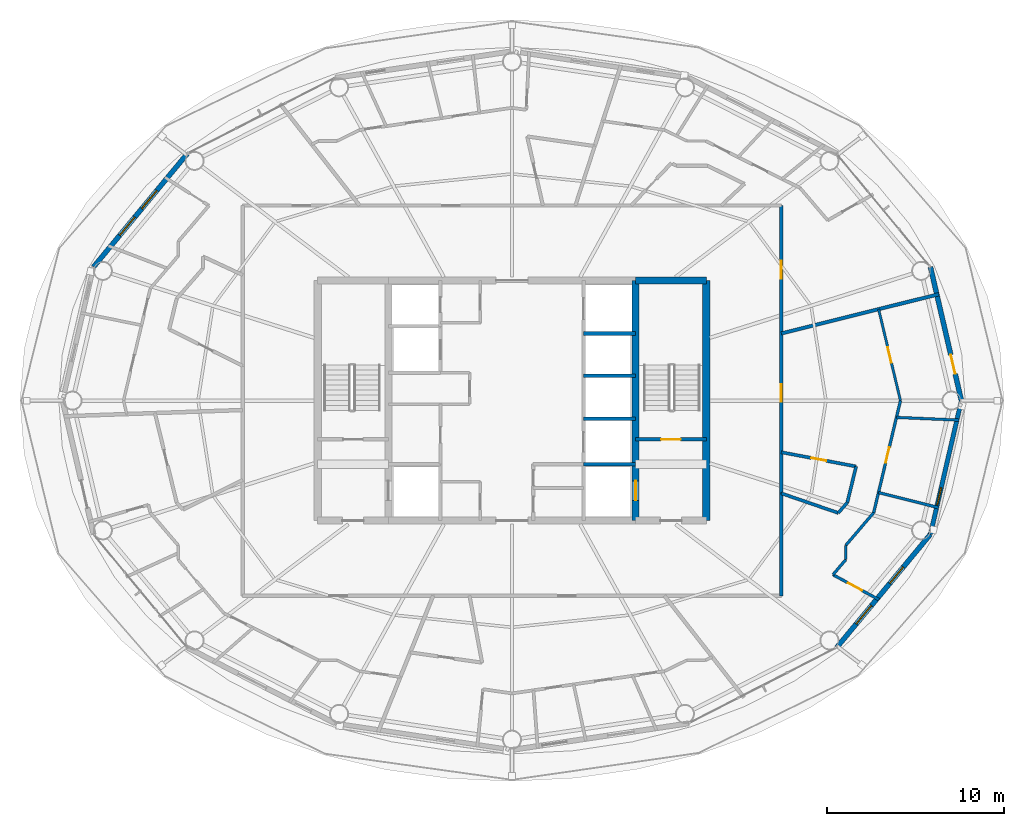
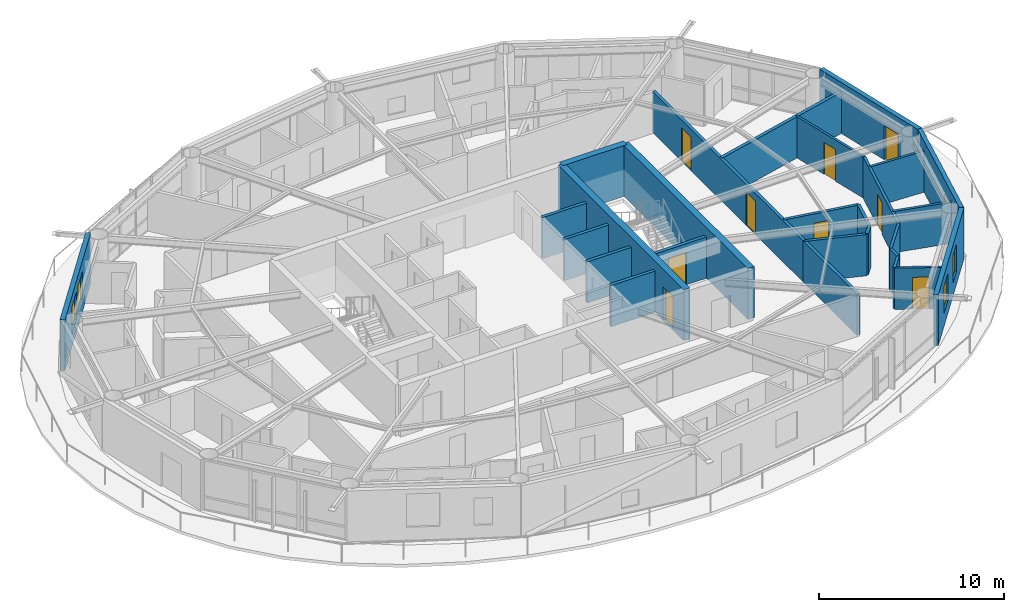
# One storey, part 18 of 23: 27 walls, 9 doors, 5 windows, 14 openings.
"""IFC4 building model written with IfcOpenShell, lengths in metres."""

from ifc_helpers import new_model, si_unit, direction, frame, frame_2d, origin, place, context, subcontext, project, spatial, rectangle, extrude, material, layer, layer_set, type_object, element, fill, save


model = new_model("IFC4")

# Units and contexts
model_context = context("Model", 3, precision=1e-05, world=origin(), true_north=direction((0.0, 1.0)))
body_context = subcontext(model_context, "Body", "Model", "MODEL_VIEW")
ifc_project = project(units=[si_unit("LENGTHUNIT", "METRE"), si_unit("AREAUNIT", "SQUARE_METRE"), si_unit("VOLUMEUNIT", "CUBIC_METRE"), si_unit("PLANEANGLEUNIT", "RADIAN"), si_unit("MASSUNIT", "GRAM", prefix="KILO")], contexts=[model_context])

# Site, building, storey
site_placement = place(None, origin())
site = spatial("IfcSite", under=ifc_project, at=site_placement, CompositionType="ELEMENT")
building_placement = place(site_placement, origin())
building = spatial("IfcBuilding", under=site, at=building_placement, Name="Sarneth Arch Tower", CompositionType="ELEMENT")
storey_placement = place(building_placement, frame((0.0, 0.0, 242.39990234375)))
storey = spatial("IfcBuildingStorey", under=building, at=storey_placement, Name="L62", CompositionType="ELEMENT", Elevation=242.39990234375)

# Walls
ifc_material_1 = material(Name="Concrete C50/60", Category="concrete")
ifc_layer_1 = layer(ifc_material_1, 0.39990234375)
ifc_layer_set_1 = layer_set([ifc_layer_1], Name="Concrete C50/60")
wall_type_1 = type_object("IfcWallType", Name="WALL-CORE-400", PredefinedType="SHEAR", material=ifc_layer_set_1)
wall_1_placement = place(storey_placement, frame((55.0, 48.800048828125, 0.0), z_axis=(0.0, 0.0, 1.0), x_axis=(1.0, 0.0, 0.0)))
element("IfcWall", 1, at=wall_1_placement, inside=storey, type_object=wall_type_1, Name="L62 Core shear wall N-E", PredefinedType="SHEAR", context=body_context, shape_type="SweptSolid", body=[
    extrude(rectangle(XDim=4.0, YDim=0.39990234375, at=frame_2d((2.0, 0.0))), origin(), (0.0, 0.0, 1.0), 3.360107421875),
])
wall_2_placement = place(storey_placement, frame((59.0, 35.199951171875, 0.0), z_axis=(0.0, 0.0, 1.0), x_axis=(0.0, 1.0, 0.0)))
element("IfcWall", 2, at=wall_2_placement, inside=storey, type_object=wall_type_1, Name="L62 Core shear wall E", PredefinedType="SHEAR", context=body_context, shape_type="SweptSolid", body=[
    extrude(rectangle(XDim=13.60009765625, YDim=0.39990234375, at=frame_2d((6.800048828125, 0.0))), origin(), (0.0, 0.0, 1.0), 3.360107421875),
])

# Wall, opening, door
wall_3_placement = place(storey_placement, frame((55.0, 35.199951171875, 0.0), z_axis=(0.0, 0.0, 1.0), x_axis=(0.0, 1.0, 0.0)))
wall_3 = element("IfcWall", 3, at=wall_3_placement, inside=storey, type_object=wall_type_1, Name="L62 Core shear wall WEB-E", PredefinedType="SHEAR", context=body_context, shape_type="SweptSolid", body=[
    extrude(rectangle(XDim=13.60009765625, YDim=0.39990234375, at=frame_2d((6.800048828125, 0.0))), origin(), (0.0, 0.0, 1.0), 3.360107421875),
])
opening_1_placement = place(wall_3_placement, frame((1.14990234375, 0.0, 0.0)))
opening_1 = element("IfcOpeningElement", 4, at=opening_1_placement, cuts=wall_3, Name="Opening LD-1", PredefinedType="OPENING", context=body_context, shape_type="SweptSolid", body=[
    extrude(rectangle(XDim=1.10009765625, YDim=2.199951171875, at=frame_2d((0.550048828125, 1.10009765625))), frame((0.0, 0.2099609375, 0.0), z_axis=(0.0, -1.0, 0.0), x_axis=(1.0, 0.0, 0.0)), (0.0, 0.0, 1.0), 0.419921875),
])
ifc_material_2 = material(Name="Brushed Stainless Steel 304 lift landing door", Category="steel")
door_type_1 = type_object("IfcDoorType", Name="DR-LIFT-SLIDE-1100", OperationType="SLIDING_TO_LEFT", PredefinedType="DOOR", material=ifc_material_2)
door_1_placement = place(opening_1_placement, origin())
door_1 = element("IfcDoor", 5, at=door_1_placement, inside=storey, type_object=door_type_1, Name="L62 Firefighting lift landing door FL-2", OperationType="SLIDING_TO_RIGHT", OverallHeight=2.199951171875, OverallWidth=1.10009765625, PredefinedType="DOOR", context=body_context, shape_type="SweptSolid", body=[
    extrude(rectangle(XDim=1.10009765625, YDim=2.199951171875, at=frame_2d((0.550048828125, 1.10009765625))), frame((0.0, 0.02490234375, 0.0), z_axis=(0.0, -1.0, 0.0), x_axis=(1.0, 0.0, 0.0)), (0.0, 0.0, 1.0), 0.050048828125),
])
fill(opening_1, door_1)

# Wall, openings, doors
ifc_material_3 = material(Name="Double steel-stud corridor fire wall", Category="steel")
ifc_layer_2 = layer(ifc_material_3, 0.18994140625)
ifc_layer_set_2 = layer_set([ifc_layer_2], Name="Double steel-stud corridor fire wall")
wall_type_2 = type_object("IfcWallType", Name="WALL-CORR-190", PredefinedType="PARTITIONING", material=ifc_layer_set_2)
wall_4_placement = place(storey_placement, frame((63.25, 53.050048828125, 0.0), z_axis=(0.0, 0.0, 1.0), x_axis=(0.0, -1.0, 0.0)))
wall_4 = element("IfcWall", 6, at=wall_4_placement, inside=storey, type_object=wall_type_2, Name="L62 Interior partition W-L62-TP-003", PredefinedType="PARTITIONING", context=body_context, shape_type="SweptSolid", body=[
    extrude(rectangle(XDim=16.3349609375, YDim=0.18994140625, at=frame_2d((8.16748046875, 0.0))), origin(), (0.0, 0.0, 1.0), 2.72021484375),
])
opening_2_placement = place(wall_4_placement, frame((3.140380859375, 0.0, 0.0)))
opening_2 = element("IfcOpeningElement", 7, at=opening_2_placement, cuts=wall_4, Name="Opening FD-08", PredefinedType="OPENING", context=body_context, shape_type="SweptSolid", body=[
    extrude(rectangle(XDim=1.0, YDim=2.199951171875, at=frame_2d((0.5, 1.10009765625))), frame((0.0, 0.10498046875, 0.0), z_axis=(0.0, -1.0, 0.0), x_axis=(1.0, 0.0, 0.0)), (0.0, 0.0, 1.0), 0.2099609375),
])
opening_3_placement = place(wall_4_placement, frame((10.110595703125, 0.0, 0.0)))
opening_3 = element("IfcOpeningElement", 8, at=opening_3_placement, cuts=wall_4, Name="Opening FD-08", PredefinedType="OPENING", context=body_context, shape_type="SweptSolid", body=[
    extrude(rectangle(XDim=1.0, YDim=2.199951171875, at=frame_2d((0.5, 1.10009765625))), frame((0.0, 0.10498046875, 0.0), z_axis=(0.0, -1.0, 0.0), x_axis=(1.0, 0.0, 0.0)), (0.0, 0.0, 1.0), 0.2099609375),
])
ifc_material_4 = material(Name="Hardwood timber acoustic fire door", Category="wood")
door_type_2 = type_object("IfcDoorType", Name="DR-FD60-1000", OperationType="SINGLE_SWING_LEFT", PredefinedType="DOOR", material=ifc_material_4)
door_2_placement = place(opening_2_placement, origin())
door_2 = element("IfcDoor", 9, at=door_2_placement, inside=storey, type_object=door_type_2, Name="L62 Interior door DR-L62-U1-ENT", OperationType="SINGLE_SWING_LEFT", OverallHeight=2.199951171875, OverallWidth=1.0, PredefinedType="DOOR", context=body_context, shape_type="SweptSolid", body=[
    extrude(rectangle(XDim=1.0, YDim=2.199951171875, at=frame_2d((0.5, 1.10009765625))), frame((0.0, 0.02490234375, 0.0), z_axis=(0.0, -1.0, 0.0), x_axis=(1.0, 0.0, 0.0)), (0.0, 0.0, 1.0), 0.050048828125),
])
fill(opening_2, door_2)
door_3_placement = place(opening_3_placement, origin())
door_3 = element("IfcDoor", 10, at=door_3_placement, inside=storey, type_object=door_type_2, Name="L62 Interior door DR-L62-U6-ENT", OperationType="SINGLE_SWING_RIGHT", OverallHeight=2.199951171875, OverallWidth=1.0, PredefinedType="DOOR", context=body_context, shape_type="SweptSolid", body=[
    extrude(rectangle(XDim=1.0, YDim=2.199951171875, at=frame_2d((0.5, 1.10009765625))), frame((0.0, 0.02490234375, 0.0), z_axis=(0.0, -1.0, 0.0), x_axis=(1.0, 0.0, 0.0)), (0.0, 0.0, 1.0), 0.050048828125),
])
fill(opening_3, door_3)

# Wall
wall_5_placement = place(storey_placement, frame((63.25, 36.78271484375, 0.0), z_axis=(0.0, 0.0, 1.0), x_axis=(0.0, -1.0, 0.0)))
element("IfcWall", 11, at=wall_5_placement, inside=storey, type_object=wall_type_2, Name="L62 Interior partition W-L62-TP-016", PredefinedType="PARTITIONING", context=body_context, shape_type="SweptSolid", body=[
    extrude(rectangle(XDim=5.832763671875, YDim=0.18994140625, at=frame_2d((2.91650390625, 0.0))), origin(), (0.0, 0.0, 1.0), 2.72021484375),
])

# Wall, opening, window
ifc_material_5 = material(Name="Extruded terracotta rainscreen on Concrete C40/50 backing", Category="masonry")
ifc_layer_3 = layer(ifc_material_5, 0.25)
ifc_layer_set_3 = layer_set([ifc_layer_3], Name="Extruded terracotta rainscreen on Concrete C40/50 backing")
wall_type_3 = type_object("IfcWallType", Name="WALL-EXT-SPAND-250", PredefinedType="SOLIDWALL", material=ifc_layer_set_3)
wall_6_placement = place(storey_placement, frame((71.69384765625, 34.430419921875, 0.0), z_axis=(0.0, 0.0, 1.0), x_axis=(0.225635078214, 0.974211892495, 0.0)))
wall_6 = element("IfcWall", 12, at=wall_6_placement, inside=storey, type_object=wall_type_3, Name="L62 Terracotta perimeter wall 16", PredefinedType="SOLIDWALL", context=body_context, shape_type="SweptSolid", body=[
    extrude(rectangle(XDim=7.77001953125, YDim=0.25, at=frame_2d((3.885009765625, 0.0))), origin(), (0.0, 0.0, 1.0), 3.360107421875),
])
opening_4_placement = place(wall_6_placement, frame((1.7138671875, 0.0, 1.419921875)))
opening_4 = element("IfcOpeningElement", 13, at=opening_4_placement, cuts=wall_6, Name="Opening W-14", PredefinedType="OPENING", context=body_context, shape_type="SweptSolid", body=[
    extrude(rectangle(XDim=1.0, YDim=1.050048828125, at=frame_2d((0.5, 0.52490234375))), frame((0.0, 0.135009765625, 0.0), z_axis=(0.0, -1.0, 0.0), x_axis=(1.0, 0.0, 0.0)), (0.0, 0.0, 1.0), 0.27001953125),
])
ifc_material_6 = material(Name="Thermally broken Aluminium 6063-T6 and low-e laminated IGU", Category="aluminium")
window_type_1 = type_object("IfcWindowType", Name="WIN-TWR-1000x1050", PartitioningType="SINGLE_PANEL", PredefinedType="WINDOW", material=ifc_material_6)
window_1_placement = place(opening_4_placement, origin())
window_1 = element("IfcWindow", 14, at=window_1_placement, inside=storey, type_object=window_type_1, Name="L62 Dwelling bedroom window 06", OverallHeight=1.050048828125, OverallWidth=1.0, PartitioningType="SINGLE_PANEL", PredefinedType="WINDOW", context=body_context, shape_type="SweptSolid", body=[
    extrude(rectangle(XDim=1.0, YDim=1.050048828125, at=frame_2d((0.5, 0.52490234375))), frame((0.0, 0.030029296875, 0.0), z_axis=(0.0, -1.0, 0.0), x_axis=(1.0, 0.0, 0.0)), (0.0, 0.0, 1.0), 0.06005859375),
])
fill(opening_4, window_1)

# Wall, opening, door
ifc_material_7 = material(Name="Extruded terracotta rainscreen on Concrete C40/50 backing", Category="masonry")
ifc_layer_4 = layer(ifc_material_7, 0.280029296875)
ifc_layer_set_4 = layer_set([ifc_layer_4], Name="Extruded terracotta rainscreen on Concrete C40/50 backing")
wall_type_4 = type_object("IfcWallType", Name="WALL-EXT-TERRA-280", PredefinedType="SOLIDWALL", material=ifc_layer_set_4)
wall_7_placement = place(storey_placement, frame((73.447021484375, 42.0, 0.0), z_axis=(0.0, 0.0, 1.0), x_axis=(-0.225635078214, 0.974211892495, 0.0)))
wall_7 = element("IfcWall", 15, at=wall_7_placement, inside=storey, type_object=wall_type_4, Name="L62 Terracotta perimeter wall 01", PredefinedType="SOLIDWALL", context=body_context, shape_type="SweptSolid", body=[
    extrude(rectangle(XDim=7.77001953125, YDim=0.280029296875, at=frame_2d((3.885009765625, 0.0))), origin(), (0.0, 0.0, 1.0), 3.360107421875),
])
opening_5_placement = place(wall_7_placement, frame((1.55712890625, 0.0, 0.0)))
opening_5 = element("IfcOpeningElement", 16, at=opening_5_placement, cuts=wall_7, Name="Opening BD-3", PredefinedType="OPENING", context=body_context, shape_type="SweptSolid", body=[
    extrude(rectangle(XDim=1.10009765625, YDim=2.25, at=frame_2d((0.550048828125, 1.125))), frame((0.0, 0.14990234375, 0.0), z_axis=(0.0, -1.0, 0.0), x_axis=(1.0, 0.0, 0.0)), (0.0, 0.0, 1.0), 0.300048828125),
])
ifc_material_8 = material(Name="Thermally broken Aluminium 6063-T6 and laminated safety glass", Category="aluminium")
door_type_3 = type_object("IfcDoorType", Name="DR-BALC-GLZ-1100", OperationType="SINGLE_SWING_LEFT", PredefinedType="DOOR", material=ifc_material_8)
door_4_placement = place(opening_5_placement, origin())
door_4 = element("IfcDoor", 17, at=door_4_placement, inside=storey, type_object=door_type_3, Name="L62 Balcony glazed door 01", OperationType="SINGLE_SWING_LEFT", OverallHeight=2.25, OverallWidth=1.10009765625, PredefinedType="DOOR", context=body_context, shape_type="SweptSolid", body=[
    extrude(rectangle(XDim=1.10009765625, YDim=2.25, at=frame_2d((0.550048828125, 1.125))), frame((0.0, 0.02490234375, 0.0), z_axis=(0.0, -1.0, 0.0), x_axis=(1.0, 0.0, 0.0)), (0.0, 0.0, 1.0), 0.050048828125),
])
fill(opening_5, door_4)

# Wall, openings, windows
wall_8_placement = place(storey_placement, frame((29.617431640625, 55.986572265625, 0.0), z_axis=(0.0, 0.0, 1.0), x_axis=(-0.63761509934, -0.770355103243, 0.0)))
wall_8 = element("IfcWall", 18, at=wall_8_placement, inside=storey, type_object=wall_type_4, Name="L62 Terracotta perimeter wall 07", PredefinedType="SOLIDWALL", context=body_context, shape_type="SweptSolid", body=[
    extrude(rectangle(XDim=8.329833984375, YDim=0.280029296875, at=frame_2d((4.1650390625, 0.0))), origin(), (0.0, 0.0, 1.0), 3.360107421875),
])
opening_6_placement = place(wall_8_placement, frame((2.704345703125, 0.0, 0.85009765625)))
opening_6 = element("IfcOpeningElement", 19, at=opening_6_placement, cuts=wall_8, Name="Opening W-08", PredefinedType="OPENING", context=body_context, shape_type="SweptSolid", body=[
    extrude(rectangle(XDim=1.35009765625, YDim=1.800048828125, at=frame_2d((0.675048828125, 0.89990234375))), frame((0.0, 0.14990234375, 0.0), z_axis=(0.0, -1.0, 0.0), x_axis=(1.0, 0.0, 0.0)), (0.0, 0.0, 1.0), 0.300048828125),
])
opening_7_placement = place(wall_8_placement, frame((4.66455078125, 0.0, 0.85009765625)))
opening_7 = element("IfcOpeningElement", 20, at=opening_7_placement, cuts=wall_8, Name="Opening W-08", PredefinedType="OPENING", context=body_context, shape_type="SweptSolid", body=[
    extrude(rectangle(XDim=1.35009765625, YDim=1.800048828125, at=frame_2d((0.675048828125, 0.89990234375))), frame((0.0, 0.14990234375, 0.0), z_axis=(0.0, -1.0, 0.0), x_axis=(1.0, 0.0, 0.0)), (0.0, 0.0, 1.0), 0.300048828125),
])
ifc_material_9 = material(Name="Thermally broken Aluminium 6063-T6 and low-e laminated IGU", Category="aluminium")
window_type_2 = type_object("IfcWindowType", Name="WIN-TWR-1350x1800", PartitioningType="SINGLE_PANEL", PredefinedType="WINDOW", material=ifc_material_9)
window_2_placement = place(opening_6_placement, origin())
window_2 = element("IfcWindow", 21, at=window_2_placement, inside=storey, type_object=window_type_2, Name="L62 Exterior window 07A", OverallHeight=1.800048828125, OverallWidth=1.35009765625, PartitioningType="SINGLE_PANEL", PredefinedType="WINDOW", context=body_context, shape_type="SweptSolid", body=[
    extrude(rectangle(XDim=1.35009765625, YDim=1.800048828125, at=frame_2d((0.675048828125, 0.89990234375))), frame((0.0, 0.030029296875, 0.0), z_axis=(0.0, -1.0, 0.0), x_axis=(1.0, 0.0, 0.0)), (0.0, 0.0, 1.0), 0.06005859375),
])
fill(opening_6, window_2)
window_3_placement = place(opening_7_placement, origin())
window_3 = element("IfcWindow", 22, at=window_3_placement, inside=storey, type_object=window_type_2, Name="L62 Exterior window 07B", OverallHeight=1.800048828125, OverallWidth=1.35009765625, PartitioningType="SINGLE_PANEL", PredefinedType="WINDOW", context=body_context, shape_type="SweptSolid", body=[
    extrude(rectangle(XDim=1.35009765625, YDim=1.800048828125, at=frame_2d((0.675048828125, 0.89990234375))), frame((0.0, 0.030029296875, 0.0), z_axis=(0.0, -1.0, 0.0), x_axis=(1.0, 0.0, 0.0)), (0.0, 0.0, 1.0), 0.06005859375),
])
fill(opening_7, window_3)

wall_9_placement = place(storey_placement, frame((66.382568359375, 28.013427734375, 0.0), z_axis=(0.0, 0.0, 1.0), x_axis=(0.63761509934, 0.770355103243, 0.0)))
wall_9 = element("IfcWall", 23, at=wall_9_placement, inside=storey, type_object=wall_type_4, Name="L62 Terracotta perimeter wall 15", PredefinedType="SOLIDWALL", context=body_context, shape_type="SweptSolid", body=[
    extrude(rectangle(XDim=8.329833984375, YDim=0.280029296875, at=frame_2d((4.1650390625, 0.0))), origin(), (0.0, 0.0, 1.0), 3.360107421875),
])
opening_8_placement = place(wall_9_placement, frame((1.738037109375, 0.0, 0.85009765625)))
opening_8 = element("IfcOpeningElement", 24, at=opening_8_placement, cuts=wall_9, Name="Opening W-08", PredefinedType="OPENING", context=body_context, shape_type="SweptSolid", body=[
    extrude(rectangle(XDim=1.35009765625, YDim=1.800048828125, at=frame_2d((0.675048828125, 0.89990234375))), frame((0.0, 0.14990234375, 0.0), z_axis=(0.0, -1.0, 0.0), x_axis=(1.0, 0.0, 0.0)), (0.0, 0.0, 1.0), 0.300048828125),
])
opening_9_placement = place(wall_9_placement, frame((4.718017578125, 0.0, 0.85009765625)))
opening_9 = element("IfcOpeningElement", 25, at=opening_9_placement, cuts=wall_9, Name="Opening W-09", PredefinedType="OPENING", context=body_context, shape_type="SweptSolid", body=[
    extrude(rectangle(XDim=1.199951171875, YDim=1.800048828125, at=frame_2d((0.60009765625, 0.89990234375))), frame((0.0, 0.14990234375, 0.0), z_axis=(0.0, -1.0, 0.0), x_axis=(1.0, 0.0, 0.0)), (0.0, 0.0, 1.0), 0.300048828125),
])
ifc_material_10 = material(Name="Thermally broken Aluminium 6063-T6 and low-e laminated IGU", Category="aluminium")
window_type_3 = type_object("IfcWindowType", Name="WIN-TWR-1200x1800", PartitioningType="SINGLE_PANEL", PredefinedType="WINDOW", material=ifc_material_10)
window_4_placement = place(opening_9_placement, origin())
window_4 = element("IfcWindow", 26, at=window_4_placement, inside=storey, type_object=window_type_3, Name="L62 Exterior window 15B", OverallHeight=1.800048828125, OverallWidth=1.199951171875, PartitioningType="SINGLE_PANEL", PredefinedType="WINDOW", context=body_context, shape_type="SweptSolid", body=[
    extrude(rectangle(XDim=1.199951171875, YDim=1.800048828125, at=frame_2d((0.60009765625, 0.89990234375))), frame((0.0, 0.030029296875, 0.0), z_axis=(0.0, -1.0, 0.0), x_axis=(1.0, 0.0, 0.0)), (0.0, 0.0, 1.0), 0.06005859375),
])
fill(opening_9, window_4)
window_5_placement = place(opening_8_placement, origin())
window_5 = element("IfcWindow", 27, at=window_5_placement, inside=storey, type_object=window_type_2, Name="L62 Exterior window 15A", OverallHeight=1.800048828125, OverallWidth=1.35009765625, PartitioningType="SINGLE_PANEL", PredefinedType="WINDOW", context=body_context, shape_type="SweptSolid", body=[
    extrude(rectangle(XDim=1.35009765625, YDim=1.800048828125, at=frame_2d((0.675048828125, 0.89990234375))), frame((0.0, 0.030029296875, 0.0), z_axis=(0.0, -1.0, 0.0), x_axis=(1.0, 0.0, 0.0)), (0.0, 0.0, 1.0), 0.06005859375),
])
fill(opening_8, window_5)

# Wall, opening, door
ifc_material_11 = material(Name="Apartment internal stud partition", Category="gypsum")
ifc_layer_5 = layer(ifc_material_11, 0.139892578125)
ifc_layer_set_5 = layer_set([ifc_layer_5], Name="Apartment internal stud partition")
wall_type_5 = type_object("IfcWallType", Name="WALL-PART-140", PredefinedType="PARTITIONING", material=ifc_layer_set_5)
wall_10_placement = place(storey_placement, frame((69.996337890625, 42.0, 0.0), z_axis=(0.0, 0.0, 1.0), x_axis=(-0.232321322639, 0.972639091877, 0.0)))
wall_10 = element("IfcWall", 28, at=wall_10_placement, inside=storey, type_object=wall_type_5, Name="L62 Interior partition W-L62-TP-126", PredefinedType="PARTITIONING", context=body_context, shape_type="SweptSolid", body=[
    extrude(rectangle(XDim=5.321533203125, YDim=0.139892578125, at=frame_2d((2.66064453125, 0.0))), origin(), (0.0, 0.0, 1.0), 2.72021484375),
])
opening_10_placement = place(wall_10_placement, frame((2.210693359375, 0.0, 0.0)))
opening_10 = element("IfcOpeningElement", 29, at=opening_10_placement, cuts=wall_10, Name="Opening ID-01", PredefinedType="OPENING", context=body_context, shape_type="SweptSolid", body=[
    extrude(rectangle(XDim=0.89990234375, YDim=2.10009765625, at=frame_2d((0.449951171875, 1.050048828125))), frame((0.0, 0.079833984375, 0.0), z_axis=(0.0, -1.0, 0.0), x_axis=(1.0, 0.0, 0.0)), (0.0, 0.0, 1.0), 0.159912109375),
])
ifc_material_12 = material(Name="Engineered hardwood flush door", Category="wood")
door_type_4 = type_object("IfcDoorType", Name="DR-INT-900", OperationType="SINGLE_SWING_LEFT", PredefinedType="DOOR", material=ifc_material_12)
door_5_placement = place(opening_10_placement, origin())
door_5 = element("IfcDoor", 30, at=door_5_placement, inside=storey, type_object=door_type_4, Name="L62 Interior door DR-L62-U6-BED2", OperationType="SINGLE_SWING_LEFT", OverallHeight=2.10009765625, OverallWidth=0.89990234375, PredefinedType="DOOR", context=body_context, shape_type="SweptSolid", body=[
    extrude(rectangle(XDim=0.89990234375, YDim=2.10009765625, at=frame_2d((0.449951171875, 1.050048828125))), frame((0.0, 0.02490234375, 0.0), z_axis=(0.0, -1.0, 0.0), x_axis=(1.0, 0.0, 0.0)), (0.0, 0.0, 1.0), 0.050048828125),
])
fill(opening_10, door_5)

# Wall
ifc_material_13 = material(Name="Acoustic gypsum stud partition", Category="gypsum")
ifc_layer_6 = layer(ifc_material_13, 0.14990234375)
ifc_layer_set_6 = layer_set([ifc_layer_6], Name="Acoustic gypsum stud partition")
wall_type_6 = type_object("IfcWallType", Name="WALL-PART-150", PredefinedType="PARTITIONING", material=ifc_layer_set_6)
wall_11_placement = place(storey_placement, frame((73.31201171875, 40.89501953125, 0.0), z_axis=(0.0, 0.0, 1.0), x_axis=(-0.999049912793, 0.043580635022, 0.0)))
element("IfcWall", 31, at=wall_11_placement, inside=storey, type_object=wall_type_6, Name="L62 Interior partition W-L62-TP-128", PredefinedType="PARTITIONING", context=body_context, shape_type="SweptSolid", body=[
    extrude(rectangle(XDim=3.546142578125, YDim=0.14990234375, at=frame_2d((1.77294921875, 0.0))), origin(), (0.0, 0.0, 1.0), 2.72021484375),
])

# Wall, opening, door
ifc_material_14 = material(Name="Kitchen wet service chase wall", Category="gypsum")
ifc_layer_7 = layer(ifc_material_14, 0.159912109375)
ifc_layer_set_7 = layer_set([ifc_layer_7], Name="Kitchen wet service chase wall")
wall_type_7 = type_object("IfcWallType", Name="WALL-PLUMB-160", PredefinedType="PLUMBINGWALL", material=ifc_layer_set_7)
wall_12_placement = place(storey_placement, frame((69.996337890625, 42.0, 0.0), z_axis=(0.0, 0.0, 1.0), x_axis=(-0.232298462197, -0.972644551962, 0.0)))
wall_12 = element("IfcWall", 32, at=wall_12_placement, inside=storey, type_object=wall_type_7, Name="L62 Interior partition W-L62-TP-124", PredefinedType="PLUMBINGWALL", context=body_context, shape_type="SweptSolid", body=[
    extrude(rectangle(XDim=6.5234375, YDim=0.159912109375, at=frame_2d((3.26171875, 0.0))), origin(), (0.0, 0.0, 1.0), 2.72021484375),
])
opening_11_placement = place(wall_12_placement, frame((2.715087890625, 0.0, 0.0)))
opening_11 = element("IfcOpeningElement", 33, at=opening_11_placement, cuts=wall_12, Name="Opening ID-01", PredefinedType="OPENING", context=body_context, shape_type="SweptSolid", body=[
    extrude(rectangle(XDim=0.89990234375, YDim=2.10009765625, at=frame_2d((0.449951171875, 1.050048828125))), frame((0.0, 0.08984375, 0.0), z_axis=(0.0, -1.0, 0.0), x_axis=(1.0, 0.0, 0.0)), (0.0, 0.0, 1.0), 0.179931640625),
])
door_6_placement = place(opening_11_placement, origin())
door_6 = element("IfcDoor", 34, at=door_6_placement, inside=storey, type_object=door_type_4, Name="L62 Interior door DR-L62-U6-BED1", OperationType="SINGLE_SWING_RIGHT", OverallHeight=2.10009765625, OverallWidth=0.89990234375, PredefinedType="DOOR", context=body_context, shape_type="SweptSolid", body=[
    extrude(rectangle(XDim=0.89990234375, YDim=2.10009765625, at=frame_2d((0.449951171875, 1.050048828125))), frame((0.0, 0.02490234375, 0.0), z_axis=(0.0, -1.0, 0.0), x_axis=(1.0, 0.0, 0.0)), (0.0, 0.0, 1.0), 0.050048828125),
])
fill(opening_11, door_6)

# Wall
wall_13_placement = place(storey_placement, frame((72.165771484375, 35.936767578125, 0.0), z_axis=(0.0, 0.0, 1.0), x_axis=(-0.96994628441, 0.24331914302, 0.0)))
element("IfcWall", 35, at=wall_13_placement, inside=storey, type_object=wall_type_7, Name="L62 Interior partition W-L62-TP-127", PredefinedType="PLUMBINGWALL", context=body_context, shape_type="SweptSolid", body=[
    extrude(rectangle(XDim=3.518798828125, YDim=0.159912109375, at=frame_2d((1.75927734375, 0.0))), origin(), (0.0, 0.0, 1.0), 2.72021484375),
])

# Wall, opening, door
wall_14_placement = place(storey_placement, frame((68.781005859375, 30.726806640625, 0.0), z_axis=(0.0, 0.0, 1.0), x_axis=(-0.878981574643, 0.476855734408, 0.0)))
wall_14 = element("IfcWall", 36, at=wall_14_placement, inside=storey, type_object=wall_type_7, Name="L62 Interior partition W-L62-TP-115", PredefinedType="PLUMBINGWALL", context=body_context, shape_type="SweptSolid", body=[
    extrude(rectangle(XDim=2.96630859375, YDim=0.159912109375, at=frame_2d((1.483154296875, 0.0))), origin(), (0.0, 0.0, 1.0), 2.72021484375),
])
opening_12_placement = place(wall_14_placement, frame((1.09326171875, 0.0, 0.0)))
opening_12 = element("IfcOpeningElement", 37, at=opening_12_placement, cuts=wall_14, Name="Opening ID-01", PredefinedType="OPENING", context=body_context, shape_type="SweptSolid", body=[
    extrude(rectangle(XDim=0.89990234375, YDim=2.10009765625, at=frame_2d((0.449951171875, 1.050048828125))), frame((0.0, 0.08984375, 0.0), z_axis=(0.0, -1.0, 0.0), x_axis=(1.0, 0.0, 0.0)), (0.0, 0.0, 1.0), 0.179931640625),
])
door_7_placement = place(opening_12_placement, origin())
door_7 = element("IfcDoor", 38, at=door_7_placement, inside=storey, type_object=door_type_4, Name="L62 Interior door DR-L62-U6-KIT", OperationType="SINGLE_SWING_LEFT", OverallHeight=2.10009765625, OverallWidth=0.89990234375, PredefinedType="DOOR", context=body_context, shape_type="SweptSolid", body=[
    extrude(rectangle(XDim=0.89990234375, YDim=2.10009765625, at=frame_2d((0.449951171875, 1.050048828125))), frame((0.0, 0.02490234375, 0.0), z_axis=(0.0, -1.0, 0.0), x_axis=(1.0, 0.0, 0.0)), (0.0, 0.0, 1.0), 0.050048828125),
])
fill(opening_12, door_7)

# Walls
wall_15_placement = place(storey_placement, frame((66.89990234375, 33.802978515625, 0.0), z_axis=(0.0, 0.0, 1.0), x_axis=(0.649270866973, 0.760557257082, 0.0)))
element("IfcWall", 39, at=wall_15_placement, inside=storey, type_object=wall_type_7, Name="L62 Interior partition W-L62-TP-118", PredefinedType="PLUMBINGWALL", context=body_context, shape_type="SweptSolid", body=[
    extrude(rectangle(XDim=2.43505859375, YDim=0.159912109375, at=frame_2d((1.217529296875, 0.0))), origin(), (0.0, 0.0, 1.0), 2.72021484375),
])
wall_16_placement = place(storey_placement, frame((66.173583984375, 32.141357421875, 0.0), z_axis=(0.0, 0.0, 1.0), x_axis=(0.648939178463, 0.760840287219, 0.0)))
element("IfcWall", 40, at=wall_16_placement, inside=storey, type_object=wall_type_7, Name="L62 Interior partition W-L62-TP-116", PredefinedType="PLUMBINGWALL", context=body_context, shape_type="SweptSolid", body=[
    extrude(rectangle(XDim=1.119140625, YDim=0.159912109375, at=frame_2d((0.5595703125, 0.0))), origin(), (0.0, 0.0, 1.0), 2.72021484375),
])
wall_17_placement = place(storey_placement, frame((66.89990234375, 32.992919921875, 0.0), z_axis=(0.0, 0.0, 1.0), x_axis=(0.0, 1.0, 0.0)))
element("IfcWall", 41, at=wall_17_placement, inside=storey, type_object=wall_type_7, Name="L62 Interior partition W-L62-TP-117", PredefinedType="PLUMBINGWALL", context=body_context, shape_type="SweptSolid", body=[
    extrude(rectangle(XDim=0.81005859375, YDim=0.159912109375, at=frame_2d((0.405029296875, 0.0))), origin(), (0.0, 0.0, 1.0), 2.72021484375),
])

# Wall, opening, door
ifc_material_15 = material(Name="Moisture-resistant plumbing chase wall", Category="gypsum")
ifc_layer_8 = layer(ifc_material_15, 0.179931640625)
ifc_layer_set_8 = layer_set([ifc_layer_8], Name="Moisture-resistant plumbing chase wall")
wall_type_8 = type_object("IfcWallType", Name="WALL-PLUMB-180", PredefinedType="PLUMBINGWALL", material=ifc_layer_set_8)
wall_18_placement = place(storey_placement, frame((63.25, 39.076171875, 0.0), z_axis=(0.0, 0.0, 1.0), x_axis=(0.982398995864, -0.186794574134, 0.0)))
wall_18 = element("IfcWall", 42, at=wall_18_placement, inside=storey, type_object=wall_type_8, Name="L62 Interior partition W-L62-TP-120", PredefinedType="PLUMBINGWALL", context=body_context, shape_type="SweptSolid", body=[
    extrude(rectangle(XDim=4.310546875, YDim=0.179931640625, at=frame_2d((2.1552734375, 0.0))), origin(), (0.0, 0.0, 1.0), 2.72021484375),
])
opening_13_placement = place(wall_18_placement, frame((1.730224609375, 0.0, 0.0)))
opening_13 = element("IfcOpeningElement", 43, at=opening_13_placement, cuts=wall_18, Name="Opening ID-02", PredefinedType="OPENING", context=body_context, shape_type="SweptSolid", body=[
    extrude(rectangle(XDim=0.85009765625, YDim=2.10009765625, at=frame_2d((0.425048828125, 1.050048828125))), frame((0.0, 0.099853515625, 0.0), z_axis=(0.0, -1.0, 0.0), x_axis=(1.0, 0.0, 0.0)), (0.0, 0.0, 1.0), 0.199951171875),
])
ifc_material_16 = material(Name="Moisture-resistant bathroom timber door", Category="wood")
door_type_5 = type_object("IfcDoorType", Name="DR-INT-850", OperationType="SINGLE_SWING_RIGHT", PredefinedType="DOOR", material=ifc_material_16)
door_8_placement = place(opening_13_placement, origin())
door_8 = element("IfcDoor", 44, at=door_8_placement, inside=storey, type_object=door_type_5, Name="L62 Interior door DR-L62-U6-BATH", OperationType="SINGLE_SWING_RIGHT", OverallHeight=2.10009765625, OverallWidth=0.85009765625, PredefinedType="DOOR", context=body_context, shape_type="SweptSolid", body=[
    extrude(rectangle(XDim=0.85009765625, YDim=2.10009765625, at=frame_2d((0.425048828125, 1.050048828125))), frame((0.0, 0.02490234375, 0.0), z_axis=(0.0, -1.0, 0.0), x_axis=(1.0, 0.0, 0.0)), (0.0, 0.0, 1.0), 0.050048828125),
])
fill(opening_13, door_8)

# Walls
wall_19_placement = place(storey_placement, frame((66.47412109375, 35.638916015625, 0.0), z_axis=(0.0, 0.0, 1.0), x_axis=(-0.945522773294, 0.325555963211, 0.0)))
element("IfcWall", 45, at=wall_19_placement, inside=storey, type_object=wall_type_8, Name="L62 Interior partition W-L62-TP-123", PredefinedType="PLUMBINGWALL", context=body_context, shape_type="SweptSolid", body=[
    extrude(rectangle(XDim=3.409912109375, YDim=0.179931640625, at=frame_2d((1.705078125, 0.0))), origin(), (0.0, 0.0, 1.0), 2.72021484375),
])
wall_20_placement = place(storey_placement, frame((67.484619140625, 38.27099609375, 0.0), z_axis=(0.0, 0.0, 1.0), x_axis=(-0.236517575433, -0.971627210668, 0.0)))
element("IfcWall", 46, at=wall_20_placement, inside=storey, type_object=wall_type_8, Name="L62 Interior partition W-L62-TP-121", PredefinedType="PLUMBINGWALL", context=body_context, shape_type="SweptSolid", body=[
    extrude(rectangle(XDim=2.1015625, YDim=0.179931640625, at=frame_2d((1.05078125, 0.0))), origin(), (0.0, 0.0, 1.0), 2.72021484375),
])
wall_21_placement = place(storey_placement, frame((66.987548828125, 36.22900390625, 0.0), z_axis=(0.0, 0.0, 1.0), x_axis=(-0.656402785683, -0.754410619589, 0.0)))
element("IfcWall", 47, at=wall_21_placement, inside=storey, type_object=wall_type_8, Name="L62 Interior partition W-L62-TP-122", PredefinedType="PLUMBINGWALL", context=body_context, shape_type="SweptSolid", body=[
    extrude(rectangle(XDim=0.7822265625, YDim=0.179931640625, at=frame_2d((0.39111328125, 0.0))), origin(), (0.0, 0.0, 1.0), 2.72021484375),
])

# Wall, opening, door
ifc_material_17 = material(Name="Aerated concrete blockwork C25/30", Category="masonry")
ifc_layer_9 = layer(ifc_material_17, 0.199951171875)
ifc_layer_set_9 = layer_set([ifc_layer_9], Name="Aerated concrete blockwork C25/30")
wall_type_9 = type_object("IfcWallType", Name="WALL-SHAFT-200", PredefinedType="SOLIDWALL", material=ifc_layer_set_9)
wall_22_placement = place(storey_placement, frame((55.0, 39.800048828125, 0.0), z_axis=(0.0, 0.0, 1.0), x_axis=(1.0, 0.0, 0.0)))
wall_22 = element("IfcWall", 48, at=wall_22_placement, inside=storey, type_object=wall_type_9, Name="L62 Interior partition W-L62-ST2-S", PredefinedType="SOLIDWALL", context=body_context, shape_type="SweptSolid", body=[
    extrude(rectangle(XDim=4.0, YDim=0.199951171875, at=frame_2d((2.0, 0.0))), origin(), (0.0, 0.0, 1.0), 2.72021484375),
])
opening_14_placement = place(wall_22_placement, frame((1.449951171875, 0.0, 0.0)))
opening_14 = element("IfcOpeningElement", 49, at=opening_14_placement, cuts=wall_22, Name="Opening FD-03", PredefinedType="OPENING", context=body_context, shape_type="SweptSolid", body=[
    extrude(rectangle(XDim=1.10009765625, YDim=2.14990234375, at=frame_2d((0.550048828125, 1.074951171875))), frame((0.0, 0.10986328125, 0.0), z_axis=(0.0, -1.0, 0.0), x_axis=(1.0, 0.0, 0.0)), (0.0, 0.0, 1.0), 0.219970703125),
])
ifc_material_18 = material(Name="Galvanised Steel S275 fire door set", Category="steel")
door_type_6 = type_object("IfcDoorType", Name="DR-FD90-1100", OperationType="SINGLE_SWING_LEFT", PredefinedType="DOOR", material=ifc_material_18)
door_9_placement = place(opening_14_placement, origin())
door_9 = element("IfcDoor", 50, at=door_9_placement, inside=storey, type_object=door_type_6, Name="L62 Interior door DR-L62-ST2", OperationType="SINGLE_SWING_RIGHT", OverallHeight=2.14990234375, OverallWidth=1.10009765625, PredefinedType="DOOR", context=body_context, shape_type="SweptSolid", body=[
    extrude(rectangle(XDim=1.10009765625, YDim=2.14990234375, at=frame_2d((0.550048828125, 1.074951171875))), frame((0.0, 0.02490234375, 0.0), z_axis=(0.0, -1.0, 0.0), x_axis=(1.0, 0.0, 0.0)), (0.0, 0.0, 1.0), 0.050048828125),
])
fill(opening_14, door_9)

# Walls
for number, where, z_axis, x_axis, name in (
    (51, (52.050048828125, 38.39990234375, 0.0), (0.0, 0.0, 1.0), (1.0, 0.0, 0.0), "L62 Interior partition W-L62-FL2-N"),
    (52, (52.050048828125, 40.97998046875, 0.0), (0.0, 0.0, 1.0), (1.0, 0.0, 0.0), "L62 Interior partition W-L62-EB-DIV-4098"),
    (53, (52.050048828125, 43.419921875, 0.0), (0.0, 0.0, 1.0), (1.0, 0.0, 0.0), "L62 Interior partition W-L62-EB-DIV-4342"),
    (54, (52.050048828125, 45.800048828125, 0.0), (0.0, 0.0, 1.0), (1.0, 0.0, 0.0), "L62 Interior partition W-L62-EB-DIV-4580"),
):
    element("IfcWall", number, at=place(storey_placement, frame(where, z_axis=z_axis, x_axis=x_axis)), inside=storey, type_object=wall_type_9, Name=name, PredefinedType="SOLIDWALL", context=body_context, shape_type="SweptSolid", body=[
        extrude(rectangle(XDim=2.949951171875, YDim=0.199951171875, at=frame_2d((1.47509765625, 0.0))), origin(), (0.0, 0.0, 1.0), 2.72021484375),
    ])
ifc_material_19 = material(Name="Double steel-stud acoustic drywall", Category="steel")
ifc_layer_10 = layer(ifc_material_19, 0.199951171875)
ifc_layer_set_10 = layer_set([ifc_layer_10], Name="Double steel-stud acoustic drywall")
wall_type_10 = type_object("IfcWallType", Name="WALL-UNIT-200", PredefinedType="PARTITIONING", material=ifc_layer_set_10)
wall_23_placement = place(storey_placement, frame((63.25, 45.80224609375, 0.0), z_axis=(0.0, 0.0, 1.0), x_axis=(0.970293772743, 0.241929730659, 0.0)))
element("IfcWall", 55, at=wall_23_placement, inside=storey, type_object=wall_type_10, Name="L62 Interior partition W-L62-TP-036", PredefinedType="PARTITIONING", context=body_context, shape_type="SweptSolid", body=[
    extrude(rectangle(XDim=9.197265625, YDim=0.199951171875, at=frame_2d((4.5986328125, 0.0))), origin(), (0.0, 0.0, 1.0), 2.72021484375),
])

save(model, "model.ifc")
